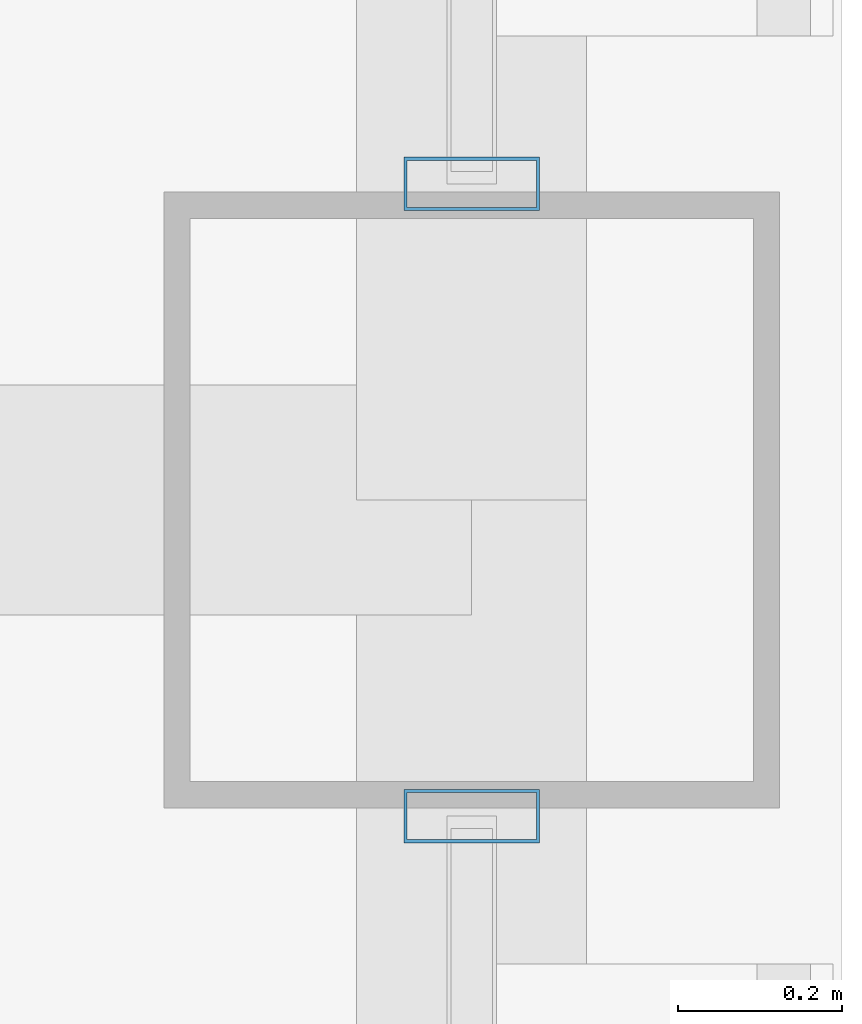
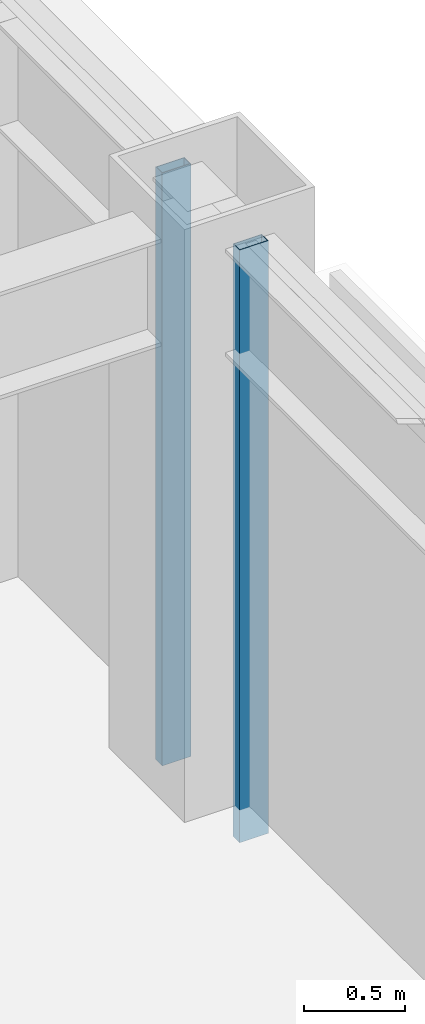
# One storey, part 18 of 31: 2 members, 2 elements without a shape of their own.
"""IFC4 building model written with IfcOpenShell, lengths in metres."""

from ifc_helpers import new_model, si_unit, direction, frame, origin, origin_2d, place, context, subcontext, project, spatial, hollow_rectangle, extrude, material, layer, layer_set, material_profile, profile_set, type_object, element, aggregate, save


model = new_model("IFC4")

# Units and contexts
model_context = context("Model", 3, precision=1e-05, world=origin(), true_north=direction((0.0, 1.0)))
body_context = subcontext(model_context, "Body", "Model", "MODEL_VIEW")
ifc_project = project(units=[si_unit("LENGTHUNIT", "METRE"), si_unit("AREAUNIT", "SQUARE_METRE"), si_unit("VOLUMEUNIT", "CUBIC_METRE"), si_unit("PLANEANGLEUNIT", "RADIAN"), si_unit("MASSUNIT", "GRAM", prefix="KILO")], contexts=[model_context])

# Site, building, storey
site_placement = place(None, origin())
site = spatial("IfcSite", under=ifc_project, at=site_placement, CompositionType="ELEMENT")
building_placement = place(site_placement, origin())
building = spatial("IfcBuilding", under=site, at=building_placement, Name="Brelmoor Portico Tower", CompositionType="ELEMENT")
storey_placement = place(building_placement, frame((0.0, 0.0, 176.699951171875)))
storey = spatial("IfcBuildingStorey", under=building, at=storey_placement, Name="L46", CompositionType="ELEMENT", Elevation=176.699951171875)

# Curtain wall, member
ifc_material = material(Name="Anodised Aluminium Alloy 6063-T6", Category="aluminium")
ifc_layer = layer(ifc_material, 0.179931640625)
ifc_layer_set = layer_set([ifc_layer], Name="Anodised Aluminium Alloy 6063-T6")
curtain_wall_type = type_object("IfcCurtainWallType", Name="CW-TOWER-Z3-XB", PredefinedType="NOTDEFINED", material=ifc_layer_set)
curtain_wall_1_placement = place(storey_placement, origin())
curtain_wall_1 = element("IfcCurtainWall", 1, at=curtain_wall_1_placement, inside=storey, type_object=curtain_wall_type, Name="L46 Curtain Wall CW-L46-04-2", PredefinedType="NOTDEFINED")
ifc_material_profile = material_profile(ifc_material, hollow_rectangle(XDim=0.06494140625, YDim=0.1650390625, WallThickness=0.00390625, at=origin_2d()), Name="ALU MULLION 65x165")
ifc_profile_set = profile_set([ifc_material_profile], Name="Anodised Aluminium Alloy 6063-T6")
member_type = type_object("IfcMemberType", Name="MB-CW-MULL-165", PredefinedType="MULLION", material=ifc_profile_set)
member_1_placement = place(storey_placement, frame((20.550048828125, 9.364990234375, -0.199951171875), z_axis=(0.0, 0.0, 1.0), x_axis=(0.0, 1.0, 0.0)))
member_1 = element("IfcMember", 2, at=member_1_placement, type_object=member_type, Name="CW-L46-04-2 Mullion 02", PredefinedType="MULLION", context=body_context, shape_type="SweptSolid", body=[
    extrude(hollow_rectangle(XDim=0.06494140625, YDim=0.1650390625, WallThickness=0.00390625, at=origin_2d()), origin(), (0.0, 0.0, 1.0), 3.60009765625),
])
aggregate(curtain_wall_1, [member_1])

curtain_wall_2_placement = place(storey_placement, origin())
curtain_wall_2 = element("IfcCurtainWall", 3, at=curtain_wall_2_placement, inside=storey, type_object=curtain_wall_type, Name="L46 Curtain Wall CW-L46-04-3", PredefinedType="NOTDEFINED")
member_2_placement = place(storey_placement, frame((20.550048828125, 10.135009765625, -0.199951171875), z_axis=(0.0, 0.0, 1.0), x_axis=(0.0, 1.0, 0.0)))
member_2 = element("IfcMember", 4, at=member_2_placement, type_object=member_type, Name="CW-L46-04-3 Mullion 00", PredefinedType="MULLION", context=body_context, shape_type="SweptSolid", body=[
    extrude(hollow_rectangle(XDim=0.06494140625, YDim=0.1650390625, WallThickness=0.00390625, at=origin_2d()), origin(), (0.0, 0.0, 1.0), 3.60009765625),
])
aggregate(curtain_wall_2, [member_2])

save(model, "model.ifc")
